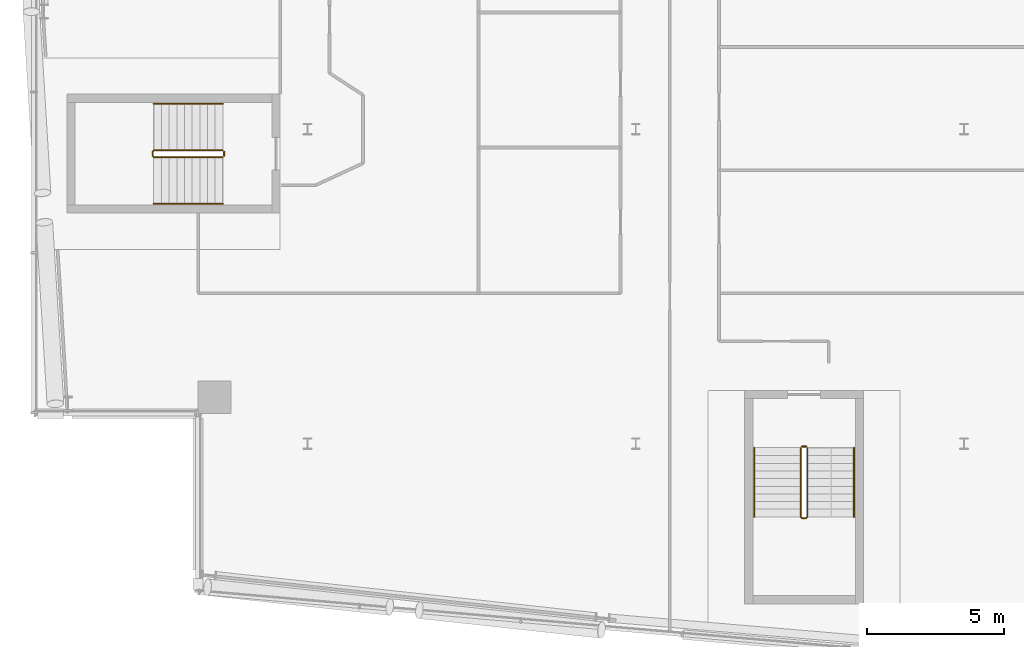
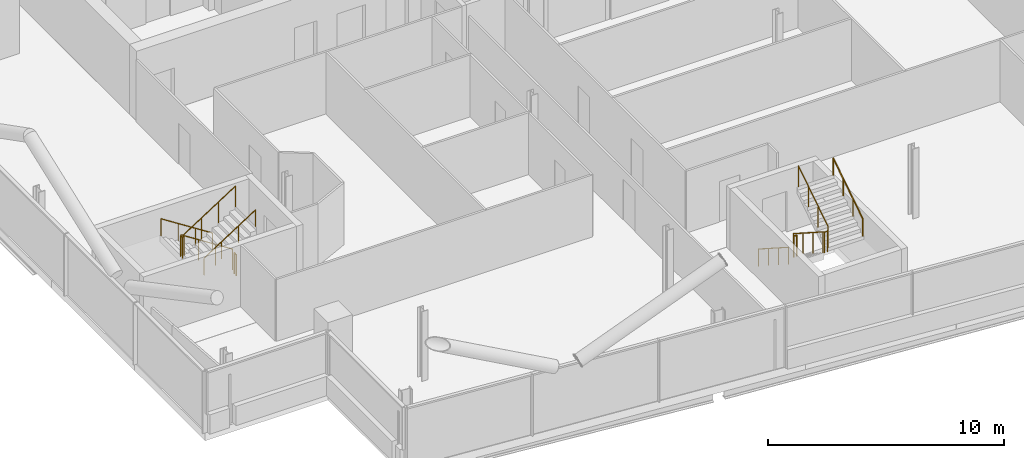
# One storey, part 25 of 27: 8 railings.
"""IFC4 building model written with IfcOpenShell, lengths in metres."""

from ifc_helpers import new_model, si_unit, direction, frame, origin, origin_2d, place, context, subcontext, project, spatial, circle, extrude, material, type_object, element, save


model = new_model("IFC4")

# Units and contexts
model_context = context("Model", 3, precision=1e-05, world=origin(), true_north=direction((0.0, 1.0)))
body_context = subcontext(model_context, "Body", "Model", "MODEL_VIEW")
ifc_project = project(units=[si_unit("LENGTHUNIT", "METRE"), si_unit("AREAUNIT", "SQUARE_METRE"), si_unit("VOLUMEUNIT", "CUBIC_METRE"), si_unit("PLANEANGLEUNIT", "RADIAN"), si_unit("MASSUNIT", "GRAM", prefix="KILO")], contexts=[model_context])

# Site, building, storey
site_placement = place(None, origin())
site = spatial("IfcSite", under=ifc_project, at=site_placement, CompositionType="ELEMENT")
building_placement = place(site_placement, origin())
building = spatial("IfcBuilding", under=site, at=building_placement, Name="Wharfspan Tower", CompositionType="ELEMENT")
storey_placement = place(building_placement, frame((0.0, 0.0, 221.5)))
storey = spatial("IfcBuildingStorey", under=building, at=storey_placement, Name="L55", CompositionType="ELEMENT", Elevation=221.5)

# Railings
ifc_material = material(Name="Steel S355J2", Category="steel")
railing_type_1 = type_object("IfcRailingType", Name="Stair guard 1100", PredefinedType="GUARDRAIL", material=ifc_material)
railing_1_placement = place(storey_placement, frame((20.899902, 22.225098, 0.179932)))
element("IfcRailing", 1, at=railing_1_placement, inside=storey, type_object=railing_type_1, Name="L55 ST3 stair guard 1", PredefinedType="GUARDRAIL", context=body_context, shape_type="SweptSolid", body=[
    extrude(circle(Radius=0.023926, at=origin_2d()), frame((0.0, 0.0, 1.076172), z_axis=(-0.841163, 0.0, 0.540782), x_axis=(0.0, -1.0, 0.0)), (0.0, 0.0, 1.0), 2.99585),
    extrude(circle(Radius=0.023926, at=origin_2d()), frame((-2.52002, 0.0, 2.696289), z_axis=(-0.705376, -0.708834, 0.0), x_axis=(0.708834, -0.705376, 0.0)), (0.0, 0.0, 1.0), 0.070557),
    extrude(circle(Radius=0.023926, at=origin_2d()), frame((-2.569824, -0.050049, 2.696289), z_axis=(0.0, -1.0, 0.0), x_axis=(1.0, 0.0, 0.0)), (0.0, 0.0, 1.0), 0.150146),
    extrude(circle(Radius=0.023926, at=origin_2d()), frame((-2.569824, -0.200195, 2.696289), z_axis=(0.257753, -0.257753, 0.931196), x_axis=(0.707107, 0.707107, 0.0)), (0.0, 0.0, 1.0), 0.193115),
    extrude(circle(Radius=0.023926, at=origin_2d()), frame((-2.52002, -0.25, 2.875977), z_axis=(0.841163, 0.0, 0.540782), x_axis=(0.0, 1.0, 0.0)), (0.0, 0.0, 1.0), 2.99585),
    extrude(circle(Radius=0.020996, at=origin_2d()), origin(), (0.0, 0.0, 1.0), 1.052002),
    extrude(circle(Radius=0.020996, at=origin_2d()), frame((-0.840088, 0.0, 0.540039)), (0.0, 0.0, 1.0), 1.052002),
    extrude(circle(Radius=0.020996, at=origin_2d()), frame((-1.679932, 0.0, 1.080078)), (0.0, 0.0, 1.0), 1.052002),
    extrude(circle(Radius=0.020996, at=origin_2d()), frame((-2.52002, 0.0, 1.620117)), (0.0, 0.0, 1.0), 1.052002),
    extrude(circle(Radius=0.020996, at=origin_2d()), frame((-2.569824, -0.050049, 1.620117)), (0.0, 0.0, 1.0), 1.052002),
    extrude(circle(Radius=0.020996, at=origin_2d()), frame((-2.569824, -0.200195, 1.620117)), (0.0, 0.0, 1.0), 1.052002),
    extrude(circle(Radius=0.020996, at=origin_2d()), frame((-2.52002, -0.25, 1.800049)), (0.0, 0.0, 1.0), 1.052002),
    extrude(circle(Radius=0.020996, at=origin_2d()), frame((-1.679932, -0.25, 2.340088)), (0.0, 0.0, 1.0), 1.052002),
    extrude(circle(Radius=0.020996, at=origin_2d()), frame((-0.840088, -0.25, 2.880127)), (0.0, 0.0, 1.0), 1.052002),
    extrude(circle(Radius=0.020996, at=origin_2d()), frame((0.0, -0.25, 3.420166)), (0.0, 0.0, 1.0), 1.052002),
])
railing_2_placement = place(storey_placement, frame((20.949951, 22.175049, 0.0)))
element("IfcRailing", 2, at=railing_2_placement, inside=storey, type_object=railing_type_1, Name="L55 ST3 stair guard 2", PredefinedType="GUARDRAIL", context=body_context, shape_type="SweptSolid", body=[
    extrude(circle(Radius=0.023926, at=origin_2d()), frame((0.0, 0.0, 1.076172), z_axis=(0.0, -1.0, 0.0), x_axis=(1.0, 0.0, 0.0)), (0.0, 0.0, 1.0), 0.150146),
    extrude(circle(Radius=0.020996, at=origin_2d()), origin(), (0.0, 0.0, 1.0), 1.052002),
    extrude(circle(Radius=0.020996, at=origin_2d()), frame((0.0, -0.150146, 0.0)), (0.0, 0.0, 1.0), 1.052002),
])
railing_3_placement = place(storey_placement, frame((42.0271, 11.343262, 0.179932)))
element("IfcRailing", 3, at=railing_3_placement, inside=storey, type_object=railing_type_1, Name="L55 ST4 stair guard 1", PredefinedType="GUARDRAIL", context=body_context, shape_type="SweptSolid", body=[
    extrude(circle(Radius=0.023926, at=origin_2d()), frame((0.0, 0.0, 1.076172), z_axis=(0.0, -0.841163, 0.540782), x_axis=(1.0, 0.0, 0.0)), (0.0, 0.0, 1.0), 2.99585),
    extrude(circle(Radius=0.023926, at=origin_2d()), frame((0.0, -2.52002, 2.696289), z_axis=(0.707107, -0.707107, 0.0), x_axis=(0.707107, 0.707107, 0.0)), (0.0, 0.0, 1.0), 0.070801),
    extrude(circle(Radius=0.023926, at=origin_2d()), frame((0.050049, -2.570068, 2.696289), z_axis=(1.0, 0.0, 0.0), x_axis=(0.0, 1.0, 0.0)), (0.0, 0.0, 1.0), 0.149902),
    extrude(circle(Radius=0.023926, at=origin_2d()), frame((0.199951, -2.570068, 2.696289), z_axis=(0.258848, 0.258848, 0.930589), x_axis=(-0.707107, 0.707107, 0.0)), (0.0, 0.0, 1.0), 0.193359),
    extrude(circle(Radius=0.023926, at=origin_2d()), frame((0.25, -2.52002, 2.875977), z_axis=(0.0, 0.841163, 0.540782), x_axis=(-1.0, 0.0, 0.0)), (0.0, 0.0, 1.0), 2.99585),
    extrude(circle(Radius=0.020996, at=origin_2d()), origin(), (0.0, 0.0, 1.0), 1.052002),
    extrude(circle(Radius=0.020996, at=origin_2d()), frame((0.0, -0.840088, 0.540039)), (0.0, 0.0, 1.0), 1.052002),
    extrude(circle(Radius=0.020996, at=origin_2d()), frame((0.0, -1.679932, 1.080078)), (0.0, 0.0, 1.0), 1.052002),
    extrude(circle(Radius=0.020996, at=origin_2d()), frame((0.0, -2.52002, 1.620117)), (0.0, 0.0, 1.0), 1.052002),
    extrude(circle(Radius=0.020996, at=origin_2d()), frame((0.050049, -2.570068, 1.620117)), (0.0, 0.0, 1.0), 1.052002),
    extrude(circle(Radius=0.020996, at=origin_2d()), frame((0.199951, -2.570068, 1.620117)), (0.0, 0.0, 1.0), 1.052002),
    extrude(circle(Radius=0.020996, at=origin_2d()), frame((0.25, -2.52002, 1.800049)), (0.0, 0.0, 1.0), 1.052002),
    extrude(circle(Radius=0.020996, at=origin_2d()), frame((0.25, -1.679932, 2.340088)), (0.0, 0.0, 1.0), 1.052002),
    extrude(circle(Radius=0.020996, at=origin_2d()), frame((0.25, -0.840088, 2.880127)), (0.0, 0.0, 1.0), 1.052002),
    extrude(circle(Radius=0.020996, at=origin_2d()), frame((0.25, 0.0, 3.420166)), (0.0, 0.0, 1.0), 1.052002),
])
railing_4_placement = place(storey_placement, frame((42.077148, 11.393311, 0.0)))
element("IfcRailing", 4, at=railing_4_placement, inside=storey, type_object=railing_type_1, Name="L55 ST4 stair guard 2", PredefinedType="GUARDRAIL", context=body_context, shape_type="SweptSolid", body=[
    extrude(circle(Radius=0.023926, at=origin_2d()), frame((0.0, 0.0, 1.076172), z_axis=(1.0, 0.0, 0.0), x_axis=(0.0, 1.0, 0.0)), (0.0, 0.0, 1.0), 0.149902),
    extrude(circle(Radius=0.020996, at=origin_2d()), origin(), (0.0, 0.0, 1.0), 1.052002),
    extrude(circle(Radius=0.020996, at=origin_2d()), frame((0.149902, 0.0, 0.0)), (0.0, 0.0, 1.0), 1.052002),
])
railing_type_2 = type_object("IfcRailingType", Name="Stair handrail 900", PredefinedType="HANDRAIL", material=ifc_material)
railing_5_placement = place(storey_placement, frame((20.899902, 23.925049, 0.179932)))
element("IfcRailing", 5, at=railing_5_placement, inside=storey, type_object=railing_type_2, Name="L55 ST3 stair handrail 1", PredefinedType="HANDRAIL", context=body_context, shape_type="SweptSolid", body=[
    extrude(circle(Radius=0.023926, at=origin_2d()), frame((0.0, 0.0, 0.875977), z_axis=(-0.841163, 0.0, 0.540782), x_axis=(0.0, -1.0, 0.0)), (0.0, 0.0, 1.0), 2.99585),
    extrude(circle(Radius=0.020996, at=origin_2d()), origin(), (0.0, 0.0, 1.0), 0.851807),
    extrude(circle(Radius=0.020996, at=origin_2d()), frame((-0.840088, 0.0, 0.540039)), (0.0, 0.0, 1.0), 0.851807),
    extrude(circle(Radius=0.020996, at=origin_2d()), frame((-1.679932, 0.0, 1.080078)), (0.0, 0.0, 1.0), 0.851807),
    extrude(circle(Radius=0.020996, at=origin_2d()), frame((-2.52002, 0.0, 1.620117)), (0.0, 0.0, 1.0), 0.851807),
])
railing_6_placement = place(storey_placement, frame((18.379883, 20.274902, 1.97998)))
element("IfcRailing", 6, at=railing_6_placement, inside=storey, type_object=railing_type_2, Name="L55 ST3 stair handrail 2", PredefinedType="HANDRAIL", context=body_context, shape_type="SweptSolid", body=[
    extrude(circle(Radius=0.023926, at=origin_2d()), frame((0.0, 0.0, 0.875977), z_axis=(0.841163, 0.0, 0.540782), x_axis=(0.0, 1.0, 0.0)), (0.0, 0.0, 1.0), 2.99585),
    extrude(circle(Radius=0.020996, at=origin_2d()), origin(), (0.0, 0.0, 1.0), 0.851807),
    extrude(circle(Radius=0.020996, at=origin_2d()), frame((0.840088, 0.0, 0.540039)), (0.0, 0.0, 1.0), 0.851807),
    extrude(circle(Radius=0.020996, at=origin_2d()), frame((1.679932, 0.0, 1.080078)), (0.0, 0.0, 1.0), 0.851807),
    extrude(circle(Radius=0.020996, at=origin_2d()), frame((2.52002, 0.0, 1.620117)), (0.0, 0.0, 1.0), 0.851807),
])
railing_7_placement = place(storey_placement, frame((40.327148, 11.343262, 0.179932)))
element("IfcRailing", 7, at=railing_7_placement, inside=storey, type_object=railing_type_2, Name="L55 ST4 stair handrail 1", PredefinedType="HANDRAIL", context=body_context, shape_type="SweptSolid", body=[
    extrude(circle(Radius=0.023926, at=origin_2d()), frame((0.0, 0.0, 0.875977), z_axis=(0.0, -0.841163, 0.540782), x_axis=(1.0, 0.0, 0.0)), (0.0, 0.0, 1.0), 2.99585),
    extrude(circle(Radius=0.020996, at=origin_2d()), origin(), (0.0, 0.0, 1.0), 0.851807),
    extrude(circle(Radius=0.020996, at=origin_2d()), frame((0.0, -0.840088, 0.540039)), (0.0, 0.0, 1.0), 0.851807),
    extrude(circle(Radius=0.020996, at=origin_2d()), frame((0.0, -1.679932, 1.080078)), (0.0, 0.0, 1.0), 0.851807),
    extrude(circle(Radius=0.020996, at=origin_2d()), frame((0.0, -2.52002, 1.620117)), (0.0, 0.0, 1.0), 0.851807),
])
railing_8_placement = place(storey_placement, frame((43.977051, 8.823242, 1.97998)))
element("IfcRailing", 8, at=railing_8_placement, inside=storey, type_object=railing_type_2, Name="L55 ST4 stair handrail 2", PredefinedType="HANDRAIL", context=body_context, shape_type="SweptSolid", body=[
    extrude(circle(Radius=0.023926, at=origin_2d()), frame((0.0, 0.0, 0.875977), z_axis=(0.0, 0.841163, 0.540782), x_axis=(-1.0, 0.0, 0.0)), (0.0, 0.0, 1.0), 2.99585),
    extrude(circle(Radius=0.020996, at=origin_2d()), origin(), (0.0, 0.0, 1.0), 0.851807),
    extrude(circle(Radius=0.020996, at=origin_2d()), frame((0.0, 0.840088, 0.540039)), (0.0, 0.0, 1.0), 0.851807),
    extrude(circle(Radius=0.020996, at=origin_2d()), frame((0.0, 1.679932, 1.080078)), (0.0, 0.0, 1.0), 0.851807),
    extrude(circle(Radius=0.020996, at=origin_2d()), frame((0.0, 2.52002, 1.620117)), (0.0, 0.0, 1.0), 0.851807),
])

save(model, "model.ifc")
